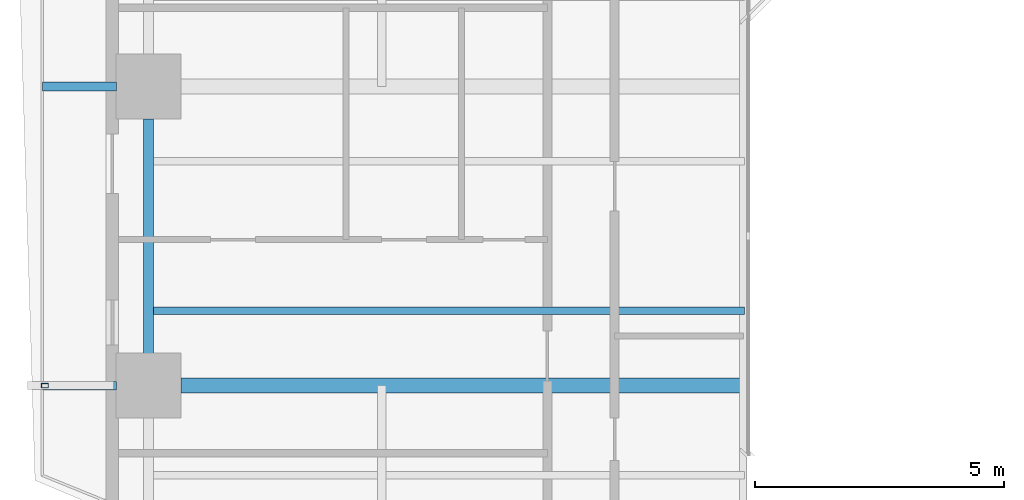
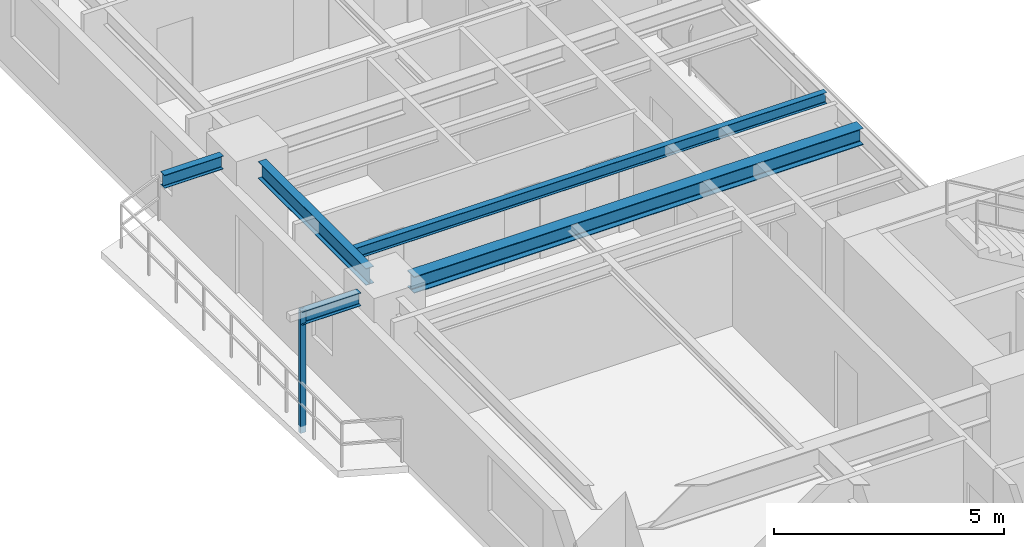
# One storey, part 3 of 23: 5 beams, 1 member.
"""IFC4 building model written with IfcOpenShell, lengths in metres."""

import ifcopenshell
import ifcopenshell.guid

model = None  # the IFC model being written
_history = None  # IfcOwnerHistory: only IFC2X3 demands one
_inside = {}  # id of a spatial element -> (the spatial element, [elements in it])
_under = {}  # id of a project, library or spatial element -> (it, [spatial elements below it])
_declared = {}  # id of a project -> (the project, [libraries it declares])
_typed = {}  # id of a type object -> (the type object, [elements of that type])
_made_of = {}  # id of a material, layer set ... -> (it, [elements and type objects made of it])


def new_model(schema):
    """Start an empty IFC model of exactly this schema.

    Asked for "IFC4X3", IfcOpenShell would pick the latest addendum, in which some entities
    have other attributes; the version numbers below select the first issue.
    IFC2X3 requires an IfcOwnerHistory on every rooted entity: one is made here for all.
    """
    global model, _history
    if schema == "IFC4X3":
        model = ifcopenshell.file(schema_version=(4, 3, 0, 0))
    else:
        model = ifcopenshell.file(schema=schema)
    _inside.clear()
    _under.clear()
    _declared.clear()
    _typed.clear()
    _made_of.clear()
    _history = None
    if model.schema == "IFC2X3":
        org = make("IfcOrganization", Name="unknown")
        user = make(
            "IfcPersonAndOrganization",
            ThePerson=make("IfcPerson", FamilyName="unknown"),
            TheOrganization=org,
        )
        app = make(
            "IfcApplication",
            ApplicationDeveloper=org,
            Version="unknown",
            ApplicationFullName="unknown",
            ApplicationIdentifier="unknown",
        )
        _history = make(
            "IfcOwnerHistory",
            OwningUser=user,
            OwningApplication=app,
            ChangeAction="ADDED",
            CreationDate=0,
        )
    return model


def make(cls, **values):
    """One entity of the class cls with the attributes given. An attribute that is None is left unset."""
    return model.create_entity(
        cls, **{name: value for name, value in values.items() if value is not None}
    )


def rooted(cls, **values):
    """An entity with a GlobalId (a new one), such as an element, a storey or a relation."""
    return make(cls, GlobalId=ifcopenshell.guid.new(), OwnerHistory=_history, **values)


def si_unit(unit_type, name, prefix=None):
    """IfcSIUnit, for example si_unit("LENGTHUNIT", "METRE", prefix="MILLI")."""
    return make("IfcSIUnit", UnitType=unit_type, Prefix=prefix, Name=name)


def assignment(units):
    """IfcUnitAssignment: the units of a project."""
    return None if units is None else make("IfcUnitAssignment", Units=units)


def point(xyz):
    """IfcCartesianPoint."""
    return None if xyz is None else make("IfcCartesianPoint", Coordinates=xyz)


def direction(xyz):
    """IfcDirection."""
    return None if xyz is None else make("IfcDirection", DirectionRatios=xyz)


def frame(location, z_axis=None, x_axis=None):
    """IfcAxis2Placement3D, a coordinate frame: its origin and axes. An axis left out is left unset."""
    return make(
        "IfcAxis2Placement3D",
        Location=point(location),
        Axis=direction(z_axis),
        RefDirection=direction(x_axis),
    )


def frame_2d(location, x_axis=None):
    """IfcAxis2Placement2D, a coordinate frame in the plane: its origin and x axis."""
    return make(
        "IfcAxis2Placement2D", Location=point(location), RefDirection=direction(x_axis)
    )


def origin():
    """The frame at (0, 0, 0) with its axes left unset."""
    return frame((0.0, 0.0, 0.0))


def origin_2d():
    """The frame at (0, 0) in the plane with its x axis left unset."""
    return frame_2d((0.0, 0.0))


def place(relative_to, where):
    """IfcLocalPlacement: puts the frame where relative to a parent placement (None: the world)."""
    return make(
        "IfcLocalPlacement", PlacementRelTo=relative_to, RelativePlacement=where
    )


def context(
    kind, dimensions, precision=None, world=None, true_north=None, identifier=None
):
    """IfcGeometricRepresentationContext, for example the 3D "Model" context."""
    return make(
        "IfcGeometricRepresentationContext",
        ContextIdentifier=identifier,
        ContextType=kind,
        CoordinateSpaceDimension=dimensions,
        Precision=precision,
        WorldCoordinateSystem=world,
        TrueNorth=true_north,
    )


def subcontext(parent, identifier, kind, view, scale=None):
    """IfcGeometricRepresentationSubContext, for example "Body" below "Model"."""
    return make(
        "IfcGeometricRepresentationSubContext",
        ContextIdentifier=identifier,
        ContextType=kind,
        ParentContext=parent,
        TargetScale=scale,
        TargetView=view,
    )


def project(units=None, contexts=None):
    """IfcProject with its units and contexts."""
    return rooted(
        "IfcProject",
        Name="project",
        RepresentationContexts=contexts,
        UnitsInContext=assignment(units),
    )


def spatial(cls, under=None, at=None, **own):
    """A site, building, storey or space (cls), placed at a placement, below another one or the project."""
    s = rooted(cls, ObjectPlacement=at, **own)
    if under is not None:
        _under.setdefault(under.id(), (under, []))[1].append(s)
    return s


def profile(cls, at=None, kind="AREA", **sizes):
    """A parametric profile (cls). Its sizes go by their IFC names, for example OverallWidth=200.0."""
    return make(cls, ProfileType=kind, Position=at, **sizes)


def hollow_rectangle(**sizes):
    """IfcRectangleHollowProfileDef."""
    return profile("IfcRectangleHollowProfileDef", **sizes)


def i_section(**sizes):
    """IfcIShapeProfileDef."""
    return profile("IfcIShapeProfileDef", **sizes)


def extrude(swept, where, along, depth):
    """IfcExtrudedAreaSolid: the profile swept, set in the frame where, extruded along a direction by depth."""
    return make(
        "IfcExtrudedAreaSolid",
        SweptArea=swept,
        Position=where,
        ExtrudedDirection=direction(along),
        Depth=depth,
    )


def shape(context_of_items, identifier, shape_type, items):
    """IfcShapeRepresentation: the items that make up one representation, for example the "Body"."""
    return make(
        "IfcShapeRepresentation",
        ContextOfItems=context_of_items,
        RepresentationIdentifier=identifier,
        RepresentationType=shape_type,
        Items=items,
    )


def source(mapping_origin, context_of_items, identifier, shape_type, items):
    """IfcRepresentationMap: a shape defined once, which mapped items show again and again."""
    return make(
        "IfcRepresentationMap",
        MappingOrigin=mapping_origin,
        MappedRepresentation=shape(context_of_items, identifier, shape_type, items),
    )


def transform(
    local_origin,
    x_axis=None,
    y_axis=None,
    z_axis=None,
    scale=None,
    scale2=None,
    scale3=None,
    uniform=True,
):
    """IfcCartesianTransformationOperator3D, or its non-uniform kind. x_axis, y_axis, z_axis: its Axis1, 2, 3."""
    if uniform:
        return make(
            "IfcCartesianTransformationOperator3D",
            Axis1=direction(x_axis),
            Axis2=direction(y_axis),
            LocalOrigin=point(local_origin),
            Scale=scale,
            Axis3=direction(z_axis),
        )
    return make(
        "IfcCartesianTransformationOperator3DnonUniform",
        Axis1=direction(x_axis),
        Axis2=direction(y_axis),
        LocalOrigin=point(local_origin),
        Scale=scale,
        Axis3=direction(z_axis),
        Scale2=scale2,
        Scale3=scale3,
    )


def mapped(mapping_source, mapping_target):
    """IfcMappedItem: shows the shape of a source again, moved by a transform."""
    return make(
        "IfcMappedItem", MappingSource=mapping_source, MappingTarget=mapping_target
    )


def material(Name=None, Category=None):
    """IfcMaterial."""
    return make("IfcMaterial", Name=Name, Category=Category)


def material_profile(
    of_material, cross_section, Name=None, Category=None, Priority=None
):
    """IfcMaterialProfile: a cross section and its material."""
    return make(
        "IfcMaterialProfile",
        Name=Name,
        Material=of_material,
        Profile=cross_section,
        Priority=Priority,
        Category=Category,
    )


def profile_set(profiles, Name=None, composite=None):
    """IfcMaterialProfileSet."""
    return make(
        "IfcMaterialProfileSet",
        Name=Name,
        MaterialProfiles=profiles,
        CompositeProfile=composite,
    )


def made_of(thing, what):
    """Note that an element or type object is made of a material, layer set ...; save() writes the relation."""
    if what is not None:
        _made_of.setdefault(what.id(), (what, []))[1].append(thing)
    return thing


def type_object(cls, material=None, **own):
    """A type object (cls), such as IfcWallType, which elements share."""
    return made_of(rooted(cls, **own), material)


def element(
    cls,
    number,
    at=None,
    inside=None,
    cuts=None,
    type_object=None,
    material=None,
    context=None,
    identifier="Body",
    shape_type=None,
    held_by="IfcProductDefinitionShape",
    body=None,
    shapes=None,
    **own,
):
    """One element of the class cls, such as IfcWall. Its Tag is "e" and its number.

    at: its placement. inside: the storey or other place that contains it. cuts: it is an
    opening in that element (IfcRelVoidsElement). A single representation is given by context,
    identifier, shape_type and body (its items); several are given by shapes. held_by: the class
    of the entity that holds the representations. save() writes the other relations.
    """
    e = rooted(cls, Tag="e%d" % number, ObjectPlacement=at, **own)
    if body is not None:
        shapes = [shape(context, identifier, shape_type, body)]
    if shapes is not None:
        e.Representation = make(held_by, Representations=shapes)
    if inside is not None:
        _inside.setdefault(inside.id(), (inside, []))[1].append(e)
    if cuts is not None:
        rooted(
            "IfcRelVoidsElement", RelatingBuildingElement=cuts, RelatedOpeningElement=e
        )
    if type_object is not None:
        _typed.setdefault(type_object.id(), (type_object, []))[1].append(e)
    return made_of(e, material)


def aggregate(whole, parts):
    """IfcRelAggregates: a whole, such as a stair, and the parts it consists of."""
    return rooted("IfcRelAggregates", RelatingObject=whole, RelatedObjects=parts)


def save(model, path):
    """Write the relations noted so far, then the file.

    IfcRelAggregates (storeys below a building ...), IfcRelContainedInSpatialStructure (elements
    in a storey), IfcRelDefinesByType, IfcRelAssociatesMaterial and IfcRelDeclares: one each for
    every whole, place, type object, material and project.
    """
    for whole, parts in _under.values():
        aggregate(whole, parts)
    for where, things in _inside.values():
        rooted(
            "IfcRelContainedInSpatialStructure",
            RelatedElements=things,
            RelatingStructure=where,
        )
    for kind, things in _typed.values():
        rooted("IfcRelDefinesByType", RelatedObjects=things, RelatingType=kind)
    for what, things in _made_of.values():
        rooted("IfcRelAssociatesMaterial", RelatedObjects=things, RelatingMaterial=what)
    for by, libraries in _declared.values():
        rooted("IfcRelDeclares", RelatingContext=by, RelatedDefinitions=libraries)
    model.write(path)


model = new_model("IFC4")

# Units and contexts
model_context = context("Model", 3, precision=1e-05, world=origin(), true_north=direction((0.0, 1.0)))
body_context = subcontext(model_context, "Body", "Model", "MODEL_VIEW")
ifc_project = project(units=[si_unit("LENGTHUNIT", "METRE"), si_unit("AREAUNIT", "SQUARE_METRE"), si_unit("VOLUMEUNIT", "CUBIC_METRE"), si_unit("PLANEANGLEUNIT", "RADIAN"), si_unit("MASSUNIT", "GRAM", prefix="KILO"), si_unit("THERMODYNAMICTEMPERATUREUNIT", "KELVIN"), si_unit("POWERUNIT", "WATT")], contexts=[model_context])

# Site, building, storey
site_placement = place(None, origin())
site = spatial("IfcSite", under=ifc_project, at=site_placement, CompositionType="ELEMENT")
building_placement = place(site_placement, origin())
building = spatial("IfcBuilding", under=site, at=building_placement, Name="Qiaomeng Ring Towers", CompositionType="ELEMENT")
storey_placement = place(building_placement, frame((0.0, 0.0, 79.5)))
storey = spatial("IfcBuildingStorey", under=building, at=storey_placement, Name="L22", CompositionType="ELEMENT", Elevation=79.5)

# Beams
ifc_material_1 = material(Name="Steel Q355B", Category="steel")
ifc_material_profile_1 = material_profile(ifc_material_1, i_section(OverallWidth=0.199951171875, OverallDepth=0.449951171875, WebThickness=0.009033203125, FlangeThickness=0.013916015625, FilletRadius=0.01806640625, at=origin_2d()), Name="HN 450x200x9x14")
ifc_profile_set_1 = profile_set([ifc_material_profile_1], Name="Steel Q355B")
beam_type_1 = type_object("IfcBeamType", Name="STR-BM-HN450", PredefinedType="SPANDREL", material=ifc_profile_set_1)
shared_shape_1 = source(origin(), body_context, "Body", "SweptSolid", [
    extrude(i_section(OverallWidth=0.199951171875, OverallDepth=0.449951171875, WebThickness=0.009033203125, FlangeThickness=0.013916015625, FilletRadius=0.01806640625, at=origin_2d()), origin(), (0.0, 0.0, 1.0), 4.7021484375),
])
beam_1_placement = place(storey_placement, frame((0.85009765625, 25.35107421875, 2.844970703125), z_axis=(0.0, -1.0, 0.0), x_axis=(1.0, 0.0, 0.0)))
element("IfcBeam", 1, at=beam_1_placement, inside=storey, type_object=beam_type_1, Name="L22 beam STR-SP-L22-T1-W3-W2", PredefinedType="SPANDREL", context=body_context, shape_type="MappedRepresentation", body=[
    mapped(shared_shape_1, transform((0.0, 0.0, 0.0), x_axis=(1.0, 0.0, 0.0), y_axis=(0.0, 1.0, 0.0), z_axis=(0.0, 0.0, 1.0), scale=1.0)),
])
ifc_material_profile_2 = material_profile(ifc_material_1, i_section(OverallWidth=0.300048828125, OverallDepth=0.43994140625, WebThickness=0.010986328125, FlangeThickness=0.01806640625, FilletRadius=0.02392578125, at=origin_2d()), Name="HM 440x300x11x18")
ifc_profile_set_2 = profile_set([ifc_material_profile_2], Name="Steel Q355B")
beam_type_2 = type_object("IfcBeamType", Name="STR-BM-HM440", PredefinedType="BEAM", material=ifc_profile_set_2)
shared_shape_2 = source(origin(), body_context, "Body", "SweptSolid", [
    extrude(i_section(OverallWidth=0.300048828125, OverallDepth=0.43994140625, WebThickness=0.010986328125, FlangeThickness=0.01806640625, FilletRadius=0.02392578125, at=origin_2d()), origin(), (0.0, 0.0, 1.0), 11.301025390625),
])
beam_2_placement = place(storey_placement, frame((1.4990234375, 20.0, 2.85009765625), z_axis=(1.0, 0.0, 0.0), x_axis=(0.0, 1.0, 0.0)))
element("IfcBeam", 2, at=beam_2_placement, inside=storey, type_object=beam_type_2, Name="L22 beam STR-BM-L22-T1-RAD-W2", PredefinedType="BEAM", context=body_context, shape_type="MappedRepresentation", body=[
    mapped(shared_shape_2, transform((0.0, 0.0, 0.0), x_axis=(1.0, 0.0, 0.0), y_axis=(0.0, 1.0, 0.0), z_axis=(0.0, 0.0, 1.0), scale=1.0)),
])
ifc_material_profile_3 = material_profile(ifc_material_1, i_section(OverallWidth=0.14990234375, OverallDepth=0.300048828125, WebThickness=0.006591796875, FlangeThickness=0.009033203125, FilletRadius=0.012939453125, at=origin_2d()), Name="HN 300x150x6.5x9")
ifc_profile_set_3 = profile_set([ifc_material_profile_3], Name="Steel Q355B")
beam_type_3 = type_object("IfcBeamType", Name="STR-BM-HN300", PredefinedType="JOIST", material=ifc_profile_set_3)
shared_shape_3 = source(origin(), body_context, "Body", "SweptSolid", [
    extrude(i_section(OverallWidth=0.14990234375, OverallDepth=0.300048828125, WebThickness=0.006591796875, FlangeThickness=0.009033203125, FilletRadius=0.012939453125, at=origin_2d()), origin(), (0.0, 0.0, 1.0), 11.949951171875),
])
beam_3_placement = place(storey_placement, frame((0.85009765625, 21.5, 2.919921875), z_axis=(1.0, 0.0, 0.0), x_axis=(0.0, 1.0, 0.0)))
element("IfcBeam", 3, at=beam_3_placement, inside=storey, type_object=beam_type_3, Name="L22 beam STR-JST-L22-T1W-2", PredefinedType="JOIST", context=body_context, shape_type="MappedRepresentation", body=[
    mapped(shared_shape_3, transform((0.0, 0.0, 0.0), x_axis=(1.0, 0.0, 0.0), y_axis=(0.0, 1.0, 0.0), z_axis=(0.0, 0.0, 1.0), scale=1.0)),
])
ifc_material_profile_4 = material_profile(ifc_material_1, i_section(OverallWidth=0.175048828125, OverallDepth=0.35009765625, WebThickness=0.007080078125, FlangeThickness=0.010986328125, FilletRadius=0.013916015625, at=origin_2d()), Name="HN 350x175x7x11")
ifc_profile_set_4 = profile_set([ifc_material_profile_4], Name="Steel Q355B")
beam_type_4 = type_object("IfcBeamType", Name="STR-BM-HN350", PredefinedType="JOIST", material=ifc_profile_set_4)
shared_shape_4 = source(origin(), body_context, "Body", "SweptSolid", [
    extrude(i_section(OverallWidth=0.175048828125, OverallDepth=0.35009765625, WebThickness=0.007080078125, FlangeThickness=0.010986328125, FilletRadius=0.013916015625, at=origin_2d()), origin(), (0.0, 0.0, 1.0), 1.48095703125),
])
for number, where, z_axis, x_axis, name in (
    (4, (-1.280029296875, 20.0, 2.89501953125), (1.0, 0.0, 0.0), (0.0, 1.0, 0.0), "L22 beam STR-BALBM-L22-W2"),
    (5, (-1.280029296875, 26.0, 2.89501953125), (1.0, 0.0, 0.0), (0.0, 1.0, 0.0), "L22 beam STR-BALBM-L22-W3"),
):
    element("IfcBeam", number, at=place(storey_placement, frame(where, z_axis=z_axis, x_axis=x_axis)), inside=storey, type_object=beam_type_4, Name=name, PredefinedType="JOIST", context=body_context, shape_type="MappedRepresentation", body=[
        mapped(shared_shape_4, transform((0.0, 0.0, 0.0), x_axis=(1.0, 0.0, 0.0), y_axis=(0.0, 1.0, 0.0), z_axis=(0.0, 0.0, 1.0), scale=1.0)),
    ])

# Member
ifc_material_2 = material(Name="Stainless steel 316", Category="steel")
ifc_material_profile_5 = material_profile(ifc_material_2, hollow_rectangle(XDim=0.090087890625, YDim=0.139892578125, WallThickness=0.0048828125, at=origin_2d()), Name="SS TRELLIS 90x140")
ifc_profile_set_5 = profile_set([ifc_material_profile_5], Name="Stainless steel 316")
member_type = type_object("IfcMemberType", Name="ARC-TR-POST1", PredefinedType="STUD", material=ifc_profile_set_5)
shared_shape_5 = source(origin(), body_context, "Body", "SweptSolid", [
    extrude(hollow_rectangle(XDim=0.090087890625, YDim=0.139892578125, WallThickness=0.0048828125, at=origin_2d()), origin(), (0.0, 0.0, 1.0), 3.25),
])
member_placement = place(storey_placement, frame((-1.22998046875, 20.0, -0.179931640625), z_axis=(0.0, 0.0, 1.0), x_axis=(0.0, 1.0, 0.0)))
element("IfcMember", 6, at=member_placement, inside=storey, type_object=member_type, Name="L22 Outer Ventilated Trellis Post W", PredefinedType="STUD", context=body_context, shape_type="MappedRepresentation", body=[
    mapped(shared_shape_5, transform((0.0, 0.0, 0.0), x_axis=(1.0, 0.0, 0.0), y_axis=(0.0, 1.0, 0.0), z_axis=(0.0, 0.0, 1.0), scale=1.0)),
])

save(model, "model.ifc")
